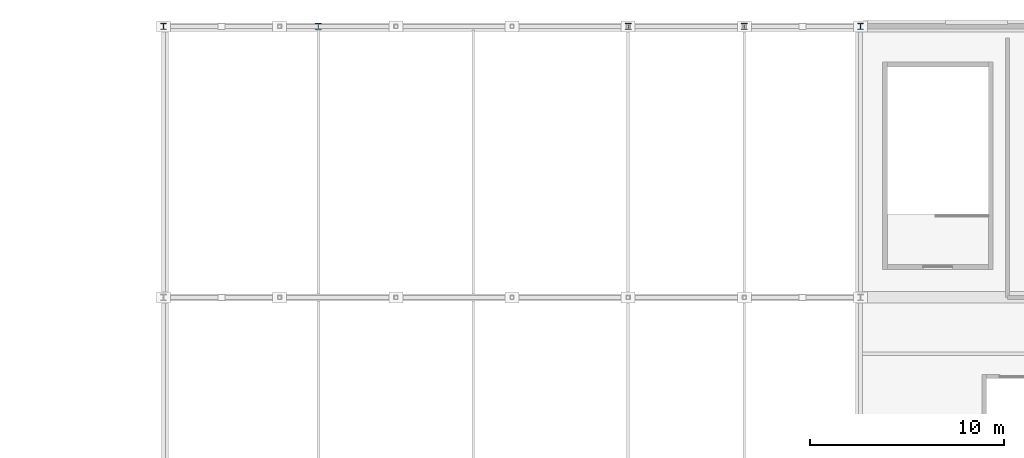
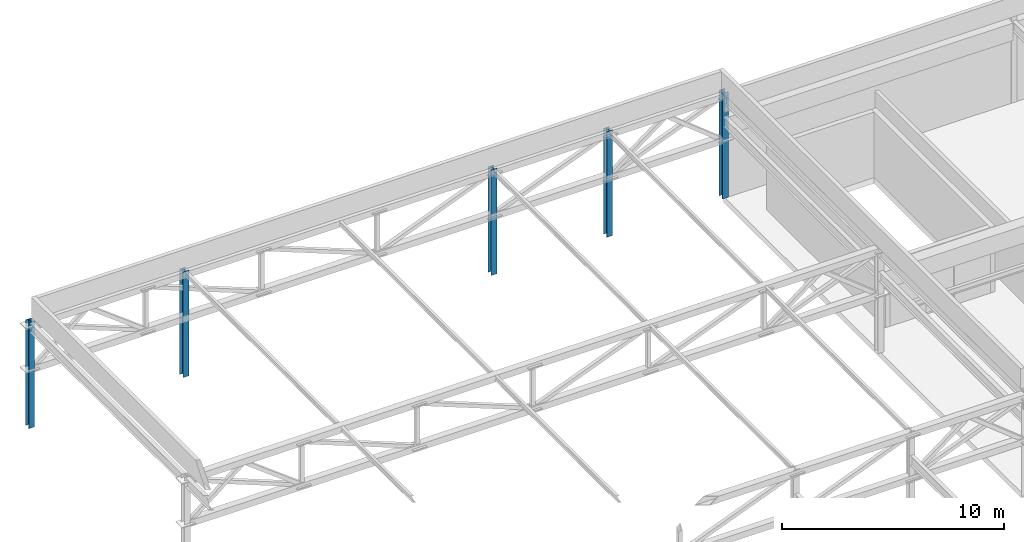
# One storey, part 17 of 122: 5 columns.
"""IFC4 building model written with IfcOpenShell, lengths in metres."""

from ifc_helpers import new_model, si_unit, direction, frame, origin, origin_2d, place, context, subcontext, project, spatial, i_section, extrude, material, material_profile, profile_set, type_object, element, save


model = new_model("IFC4")

# Units and contexts
model_context = context("Model", 3, precision=1e-05, world=origin(), true_north=direction((0.0, 1.0)))
body_context = subcontext(model_context, "Body", "Model", "MODEL_VIEW")
ifc_project = project(units=[si_unit("LENGTHUNIT", "METRE"), si_unit("AREAUNIT", "SQUARE_METRE"), si_unit("VOLUMEUNIT", "CUBIC_METRE"), si_unit("PLANEANGLEUNIT", "RADIAN"), si_unit("MASSUNIT", "GRAM", prefix="KILO")], contexts=[model_context])

# Site, building, storey
site_placement = place(None, origin())
site = spatial("IfcSite", under=ifc_project, at=site_placement, CompositionType="ELEMENT")
building_placement = place(site_placement, origin())
building = spatial("IfcBuilding", under=site, at=building_placement, Name="Cuetzalor Civic Arena", CompositionType="ELEMENT")
storey_placement = place(building_placement, frame((0.0, 0.0, 16.199951171875)))
storey = spatial("IfcBuildingStorey", under=building, at=storey_placement, Name="L03", CompositionType="ELEMENT", Elevation=16.199951171875)

# Columns
ifc_material = material(Name="Steel S355", Category="steel")
ifc_material_profile = material_profile(ifc_material, i_section(OverallWidth=0.304931640625, OverallDepth=0.30810546875, WebThickness=0.010009765625, FlangeThickness=0.015380859375, at=origin_2d()), Name="W310x97")
ifc_profile_set = profile_set([ifc_material_profile], Name="Steel S355")
column_type = type_object("IfcColumnType", Name="SteelGalleryColumn_W310", PredefinedType="COLUMN", material=ifc_profile_set)
for number, where, z_axis, x_axis, name in (
    (1, (-72.0, 75.5, 0.0), (0.0, 0.0, 1.0), (1.0, 0.0, 0.0), "Column V5-C-01-05 L03"),
    (2, (-64.0, 75.5, 0.0), (0.0, 0.0, 1.0), (1.0, 0.0, 0.0), "Column V5-C-02-05 L03"),
    (3, (-48.0, 75.5, 0.0), (0.0, 0.0, 1.0), (1.0, 0.0, 0.0), "Column V5-C-03-05 L03"),
    (4, (-42.0, 75.5, 0.0), (0.0, 0.0, 1.0), (1.0, 0.0, 0.0), "Column V5-C-04-05 L03"),
    (5, (-36.0, 75.5, 0.0), (0.0, 0.0, 1.0), (1.0, 0.0, 0.0), "Column V5-C-05-05 L03"),
):
    element("IfcColumn", number, at=place(storey_placement, frame(where, z_axis=z_axis, x_axis=x_axis)), inside=storey, type_object=column_type, Name=name, PredefinedType="COLUMN", context=body_context, shape_type="SweptSolid", body=[
        extrude(i_section(OverallWidth=0.304931640625, OverallDepth=0.30810546875, WebThickness=0.010009765625, FlangeThickness=0.015380859375, at=origin_2d()), origin(), (0.0, 0.0, 1.0), 5.800048828125),
    ])

save(model, "model.ifc")
